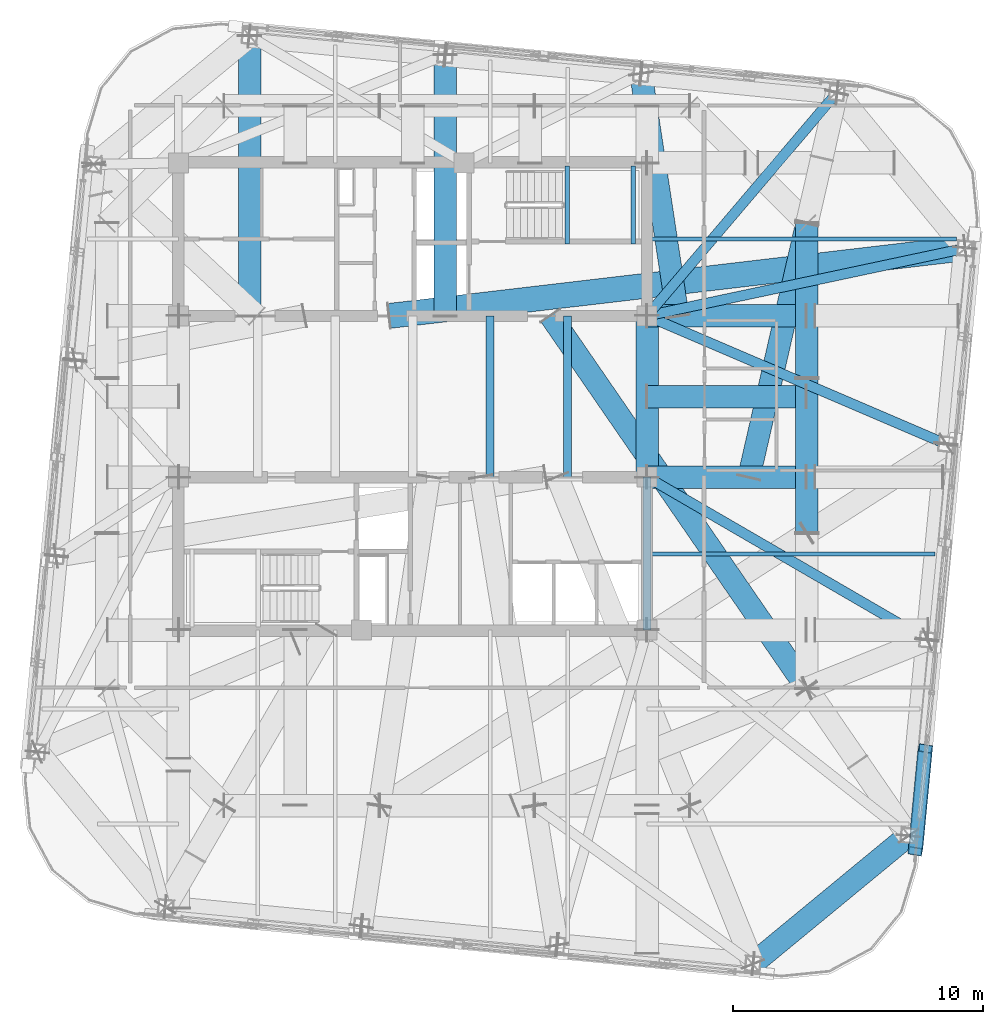
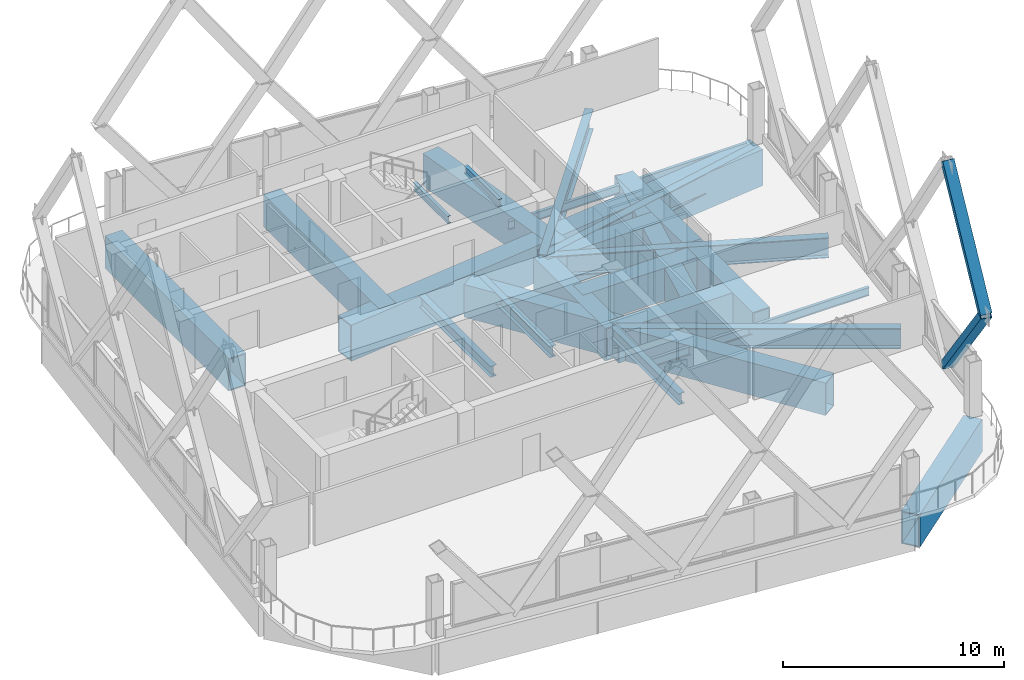
# One storey, part 15 of 31: 24 beams, 2 members.
"""IFC4 building model written with IfcOpenShell, lengths in metres."""

from ifc_helpers import new_model, si_unit, direction, frame, origin, origin_2d, place, context, subcontext, project, spatial, hollow_rectangle, i_section, extrude, material, material_profile, profile_set, type_object, element, save


model = new_model("IFC4")

# Units and contexts
model_context = context("Model", 3, precision=1e-05, world=origin(), true_north=direction((0.0, 1.0)))
body_context = subcontext(model_context, "Body", "Model", "MODEL_VIEW")
ifc_project = project(units=[si_unit("LENGTHUNIT", "METRE"), si_unit("AREAUNIT", "SQUARE_METRE"), si_unit("VOLUMEUNIT", "CUBIC_METRE"), si_unit("PLANEANGLEUNIT", "RADIAN"), si_unit("MASSUNIT", "GRAM", prefix="KILO")], contexts=[model_context])

# Site, building, storey
site_placement = place(None, origin())
site = spatial("IfcSite", under=ifc_project, at=site_placement, CompositionType="ELEMENT")
building_placement = place(site_placement, origin())
building = spatial("IfcBuilding", under=site, at=building_placement, Name="Qhalaya Broadcast Tower", CompositionType="ELEMENT")
storey_placement = place(building_placement, frame((0.0, 0.0, 242.85009765625)))
storey = spatial("IfcBuildingStorey", under=building, at=storey_placement, Name="L71", CompositionType="ELEMENT", Elevation=242.85009765625)

# Beams
ifc_material_1 = material(Name="Structural Steel ASTM A572 Grade 50", Category="steel")
ifc_material_profile_1 = material_profile(ifc_material_1, hollow_rectangle(XDim=0.89990234375, YDim=1.800048828125, WallThickness=0.06005859375, at=origin_2d()), Name="BOX 900x1800x60")
ifc_profile_set_1 = profile_set([ifc_material_profile_1], Name="Structural Steel ASTM A572 Grade 50")
beam_type_1 = type_object("IfcBeamType", Name="Block Cantilever Transfer Box Girder TG1", PredefinedType="USERDEFINED", material=ifc_profile_set_1)
beam_1_placement = place(storey_placement, frame((13.6083984375, -22.09033203125, -1.090087890625), z_axis=(0.771631160126, 0.636070241972, 0.0), x_axis=(-0.636070241972, 0.771631160126, 0.0)))
element("IfcBeam", 1, at=beam_1_placement, inside=storey, type_object=beam_type_1, Name="L71 TG1 L71-SPR-04", ObjectType="GIRDER", PredefinedType="USERDEFINED", context=body_context, shape_type="SweptSolid", body=[
    extrude(hollow_rectangle(XDim=0.89990234375, YDim=1.800048828125, WallThickness=0.06005859375, at=origin_2d()), origin(), (0.0, 0.0, 1.0), 8.06103515625),
])
beam_2_placement = place(storey_placement, frame((15.77001953125, -4.8701171875, -1.090087890625), z_axis=(0.0, 1.0, 0.0), x_axis=(-1.0, 0.0, 0.0)))
element("IfcBeam", 2, at=beam_2_placement, inside=storey, type_object=beam_type_1, Name="L71 TG1 L71-TGL-06", ObjectType="GIRDER", PredefinedType="USERDEFINED", context=body_context, shape_type="SweptSolid", body=[
    extrude(hollow_rectangle(XDim=0.89990234375, YDim=1.800048828125, WallThickness=0.06005859375, at=origin_2d()), origin(), (0.0, 0.0, 1.0), 6.2001953125),
])
beam_3_placement = place(storey_placement, frame((15.77001953125, 1.330078125, -1.090087890625), z_axis=(0.0, 1.0, 0.0), x_axis=(-1.0, 0.0, 0.0)))
element("IfcBeam", 3, at=beam_3_placement, inside=storey, type_object=beam_type_1, Name="L71 TG1 L71-TGL-07", ObjectType="GIRDER", PredefinedType="USERDEFINED", context=body_context, shape_type="SweptSolid", body=[
    extrude(hollow_rectangle(XDim=0.89990234375, YDim=1.800048828125, WallThickness=0.06005859375, at=origin_2d()), origin(), (0.0, 0.0, 1.0), 6.199951171875),
])
beam_4_placement = place(storey_placement, frame((9.375, 0.60009765625, -1.090087890625), z_axis=(1.0, 0.0, 0.0), x_axis=(0.0, 1.0, 0.0)))
element("IfcBeam", 4, at=beam_4_placement, inside=storey, type_object=beam_type_1, Name="L71 TG1 L71-TGIYE-1", ObjectType="GIRDER", PredefinedType="USERDEFINED", context=body_context, shape_type="SweptSolid", body=[
    extrude(hollow_rectangle(XDim=0.89990234375, YDim=1.800048828125, WallThickness=0.06005859375, at=origin_2d()), origin(), (0.0, 0.0, 1.0), 6.35498046875),
])
beam_5_placement = place(storey_placement, frame((9.375, -2.625, -1.090087890625), z_axis=(0.0, 1.0, 0.0), x_axis=(-1.0, 0.0, 0.0)))
element("IfcBeam", 5, at=beam_5_placement, inside=storey, type_object=beam_type_1, Name="L71 TG1 L71-TGIME-1", ObjectType="GIRDER", PredefinedType="USERDEFINED", context=body_context, shape_type="SweptSolid", body=[
    extrude(hollow_rectangle(XDim=0.89990234375, YDim=1.800048828125, WallThickness=0.06005859375, at=origin_2d()), origin(), (0.0, 0.0, 1.0), 6.449951171875),
])
for number, where, z_axis, x_axis, name in (
    (6, (9.375, -2.625, -1.090087890625), (1.0, 0.0, 0.0), (0.0, 1.0, 0.0), "L71 TG1 L71-TGIY2E-1"),
    (7, (9.375, 3.824951171875, -1.090087890625), (1.0, 0.0, 0.0), (0.0, 1.0, 0.0), "L71 TG1 L71-TGIY3E-1"),
):
    element("IfcBeam", number, at=place(storey_placement, frame(where, z_axis=z_axis, x_axis=x_axis)), inside=storey, type_object=beam_type_1, Name=name, ObjectType="GIRDER", PredefinedType="USERDEFINED", context=body_context, shape_type="SweptSolid", body=[
        extrude(hollow_rectangle(XDim=0.89990234375, YDim=1.800048828125, WallThickness=0.06005859375, at=origin_2d()), origin(), (0.0, 0.0, 1.0), 6.35498046875),
    ])
beam_6_placement = place(storey_placement, frame((5.51171875, 3.824951171875, -1.090087890625), z_axis=(0.56720351429, -0.823577666876, 0.0), x_axis=(0.823577666876, 0.56720351429, 0.0)))
element("IfcBeam", 8, at=beam_6_placement, inside=storey, type_object=beam_type_1, Name="L71 Collinear Back-Span Transfer Box Girder 05", ObjectType="GIRDER", PredefinedType="USERDEFINED", context=body_context, shape_type="SweptSolid", body=[
    extrude(hollow_rectangle(XDim=0.89990234375, YDim=1.800048828125, WallThickness=0.06005859375, at=origin_2d()), origin(), (0.0, 0.0, 1.0), 18.085693359375),
])
beam_7_placement = place(storey_placement, frame((13.448486328125, -2.625, -1.090087890625), z_axis=(0.222859801896, 0.974850505821, 0.0), x_axis=(-0.974850505821, 0.222859801896, 0.0)))
element("IfcBeam", 9, at=beam_7_placement, inside=storey, type_object=beam_type_1, Name="L71 Collinear Back-Span Transfer Box Girder 09", ObjectType="GIRDER", PredefinedType="USERDEFINED", context=body_context, shape_type="SweptSolid", body=[
    extrude(hollow_rectangle(XDim=0.89990234375, YDim=1.800048828125, WallThickness=0.06005859375, at=origin_2d()), origin(), (0.0, 0.0, 1.0), 10.4169921875),
])
beam_8_placement = place(storey_placement, frame((10.605712890625, 3.824951171875, -1.090087890625), z_axis=(-0.150490218704, 0.988611498049, 0.0), x_axis=(-0.988611498049, -0.150490218704, 0.0)))
element("IfcBeam", 10, at=beam_8_placement, inside=storey, type_object=beam_type_1, Name="L71 Continuous Cantilever Transfer Box Girder 10", ObjectType="GIRDER", PredefinedType="USERDEFINED", context=body_context, shape_type="SweptSolid", body=[
    extrude(hollow_rectangle(XDim=0.89990234375, YDim=1.800048828125, WallThickness=0.06005859375, at=origin_2d()), origin(), (0.0, 0.0, 1.0), 9.7890625),
])
beam_9_placement = place(storey_placement, frame((1.302001953125, 3.824951171875, -1.090087890625), z_axis=(0.0, 1.0, 0.0), x_axis=(-1.0, 0.0, 0.0)))
element("IfcBeam", 11, at=beam_9_placement, inside=storey, type_object=beam_type_1, Name="L71 Continuous Cantilever Transfer Box Girder 11", ObjectType="GIRDER", PredefinedType="USERDEFINED", context=body_context, shape_type="SweptSolid", body=[
    extrude(hollow_rectangle(XDim=0.89990234375, YDim=1.800048828125, WallThickness=0.06005859375, at=origin_2d()), origin(), (0.0, 0.0, 1.0), 10.431396484375),
])
beam_10_placement = place(storey_placement, frame((-6.5283203125, 3.824951171875, -1.090087890625), z_axis=(0.0, 1.0, 0.0), x_axis=(-1.0, 0.0, 0.0)))
element("IfcBeam", 12, at=beam_10_placement, inside=storey, type_object=beam_type_1, Name="L71 Continuous Cantilever Transfer Box Girder 12", ObjectType="GIRDER", PredefinedType="USERDEFINED", context=body_context, shape_type="SweptSolid", body=[
    extrude(hollow_rectangle(XDim=0.89990234375, YDim=1.800048828125, WallThickness=0.06005859375, at=origin_2d()), origin(), (0.0, 0.0, 1.0), 11.185546875),
])
ifc_material_2 = material(Name="Structural Steel ASTM A992 Grade 50", Category="steel")
ifc_material_profile_2 = material_profile(ifc_material_2, i_section(OverallWidth=0.154052734375, OverallDepth=0.458984375, WebThickness=0.009033203125, FlangeThickness=0.015380859375, at=origin_2d()), Name="W18X46")
ifc_profile_set_2 = profile_set([ifc_material_profile_2], Name="Structural Steel ASTM A992 Grade 50")
beam_type_2 = type_object("IfcBeamType", Name="Composite Floor Joist J04", PredefinedType="JOIST", material=ifc_profile_set_2)
beam_11_placement = place(storey_placement, frame((9.375, -5.699951171875, -0.419677734375), z_axis=(1.0, 0.0, 0.0), x_axis=(0.0, 1.0, 0.0)))
element("IfcBeam", 13, at=beam_11_placement, inside=storey, type_object=beam_type_2, Name="L71 J04 L71-JWE3E-1", PredefinedType="JOIST", context=body_context, shape_type="SweptSolid", body=[
    extrude(i_section(OverallWidth=0.154052734375, OverallDepth=0.458984375, WebThickness=0.009033203125, FlangeThickness=0.015380859375, at=origin_2d()), origin(), (0.0, 0.0, 1.0), 11.517822265625),
])
beam_12_placement = place(storey_placement, frame((9.375, 6.89990234375, -0.419677734375), z_axis=(1.0, 0.0, 0.0), x_axis=(0.0, 1.0, 0.0)))
element("IfcBeam", 14, at=beam_12_placement, inside=storey, type_object=beam_type_2, Name="L71 J04 L71-JWE5E-1", PredefinedType="JOIST", context=body_context, shape_type="SweptSolid", body=[
    extrude(i_section(OverallWidth=0.154052734375, OverallDepth=0.458984375, WebThickness=0.009033203125, FlangeThickness=0.015380859375, at=origin_2d()), origin(), (0.0, 0.0, 1.0), 12.38330078125),
])
ifc_material_profile_3 = material_profile(ifc_material_2, i_section(OverallWidth=0.323974609375, OverallDepth=0.612060546875, WebThickness=0.0126953125, FlangeThickness=0.01904296875, at=origin_2d()), Name="W24X104")
ifc_profile_set_3 = profile_set([ifc_material_profile_3], Name="Structural Steel ASTM A992 Grade 50")
beam_type_3 = type_object("IfcBeamType", Name="Core Frame Tie Beam B04", PredefinedType="BEAM", material=ifc_profile_set_3)
beam_13_placement = place(storey_placement, frame((9.375, -8.75, -0.49609375), z_axis=(0.0, 1.0, 0.0), x_axis=(-1.0, 0.0, 0.0)))
element("IfcBeam", 15, at=beam_13_placement, inside=storey, type_object=beam_type_3, Name="L71 B04 L71-CCS2", PredefinedType="BEAM", context=body_context, shape_type="SweptSolid", body=[
    extrude(i_section(OverallWidth=0.323974609375, OverallDepth=0.612060546875, WebThickness=0.0126953125, FlangeThickness=0.01904296875, at=origin_2d()), origin(), (0.0, 0.0, 1.0), 6.125),
])
for number, where, z_axis, x_axis, name in (
    (16, (3.10009765625, -2.625, -0.49609375), (0.0, 1.0, 0.0), (-1.0, 0.0, 0.0), "L71 B04 L71-JC4-1"),
    (17, (6.199951171875, -2.625, -0.49609375), (0.0, 1.0, 0.0), (-1.0, 0.0, 0.0), "L71 B04 L71-JC5-1"),
):
    element("IfcBeam", number, at=place(storey_placement, frame(where, z_axis=z_axis, x_axis=x_axis)), inside=storey, type_object=beam_type_3, Name=name, PredefinedType="BEAM", context=body_context, shape_type="SweptSolid", body=[
        extrude(i_section(OverallWidth=0.323974609375, OverallDepth=0.612060546875, WebThickness=0.0126953125, FlangeThickness=0.01904296875, at=origin_2d()), origin(), (0.0, 0.0, 1.0), 6.449951171875),
    ])

# Members
ifc_material_profile_4 = material_profile(ifc_material_1, hollow_rectangle(XDim=0.3798828125, YDim=0.550048828125, WallThickness=0.02490234375, at=origin_2d()), Name="BOX 380x550x25")
ifc_profile_set_4 = profile_set([ifc_material_profile_4], Name="Structural Steel ASTM A572 Grade 50")
member_type = type_object("IfcMemberType", Name="Exoskeleton Diamond Diagonal Upper EX4", PredefinedType="BRACE", material=ifc_profile_set_4)
member_1_placement = place(storey_placement, frame((20.505615234375, -13.478515625, 0.35986328125), z_axis=(-0.058301925892, -0.605362942159, 0.793811434597), x_axis=(0.171153078973, 0.777329359739, 0.60536409709)))
element("IfcMember", 18, at=member_1_placement, inside=storey, type_object=member_type, Name="B6 Exoskeleton Diamond Brace E1-D1", PredefinedType="BRACE", context=body_context, shape_type="SweptSolid", body=[
    extrude(hollow_rectangle(XDim=0.3798828125, YDim=0.550048828125, WallThickness=0.02490234375, at=origin_2d()), origin(), (0.0, 0.0, 1.0), 6.79638671875),
])
member_2_placement = place(storey_placement, frame((20.109375, -17.5927734375, 5.7548828125), z_axis=(0.055161336321, 0.572753444041, 0.817869622443), x_axis=(-0.17344881055, -0.801166493771, 0.572754536758)))
element("IfcMember", 19, at=member_2_placement, inside=storey, type_object=member_type, Name="B6 Exoskeleton Diamond Brace E1-D3", PredefinedType="BRACE", context=body_context, shape_type="SweptSolid", body=[
    extrude(hollow_rectangle(XDim=0.3798828125, YDim=0.550048828125, WallThickness=0.02490234375, at=origin_2d()), origin(), (0.0, 0.0, 1.0), 7.183349609375),
])

# Beams
ifc_material_profile_5 = material_profile(ifc_material_2, i_section(OverallWidth=0.404052734375, OverallDepth=1.117919921875, WebThickness=0.026123046875, FlangeThickness=0.044921875, at=origin_2d()), Name="W44X335")
ifc_profile_set_5 = profile_set([ifc_material_profile_5], Name="Structural Steel ASTM A992 Grade 50")
beam_type_4 = type_object("IfcBeamType", Name="Podium Long-Span Primary Girder PG1", PredefinedType="USERDEFINED", material=ifc_profile_set_5)
beam_14_placement = place(storey_placement, frame((9.375, -2.625, -0.7490234375), z_axis=(0.864789738256, -0.502134153993, 0.0), x_axis=(0.502134153993, 0.864789738256, 0.0)))
element("IfcBeam", 20, at=beam_14_placement, inside=storey, type_object=beam_type_4, Name="L71 Column-to-Column Moment Tie Girder 06-2", ObjectType="GIRDER", PredefinedType="USERDEFINED", context=body_context, shape_type="SweptSolid", body=[
    extrude(i_section(OverallWidth=0.404052734375, OverallDepth=1.117919921875, WebThickness=0.026123046875, FlangeThickness=0.044921875, at=origin_2d()), origin(), (0.0, 0.0, 1.0), 12.959716796875),
])
beam_15_placement = place(storey_placement, frame((9.375, 3.824951171875, -0.7490234375), z_axis=(0.919127562905, -0.39396005268, 0.0), x_axis=(0.39396005268, 0.919127562905, 0.0)))
element("IfcBeam", 21, at=beam_15_placement, inside=storey, type_object=beam_type_4, Name="L71 Column-to-Column Moment Tie Girder 07-2", ObjectType="GIRDER", PredefinedType="USERDEFINED", context=body_context, shape_type="SweptSolid", body=[
    extrude(i_section(OverallWidth=0.404052734375, OverallDepth=1.117919921875, WebThickness=0.026123046875, FlangeThickness=0.044921875, at=origin_2d()), origin(), (0.0, 0.0, 1.0), 13.013916015625),
])
beam_16_placement = place(storey_placement, frame((9.375, 3.824951171875, -0.7490234375), z_axis=(0.978137557788, 0.207958933554, 0.0), x_axis=(-0.207958933554, 0.978137557788, 0.0)))
element("IfcBeam", 22, at=beam_16_placement, inside=storey, type_object=beam_type_4, Name="L71 Column-to-Column Moment Tie Girder 08-1", ObjectType="GIRDER", PredefinedType="USERDEFINED", context=body_context, shape_type="SweptSolid", body=[
    extrude(i_section(OverallWidth=0.404052734375, OverallDepth=1.117919921875, WebThickness=0.026123046875, FlangeThickness=0.044921875, at=origin_2d()), origin(), (0.0, 0.0, 1.0), 12.99951171875),
])
beam_17_placement = place(storey_placement, frame((9.375, 3.824951171875, -0.7490234375), z_axis=(0.647789376676, 0.761819482204, 0.0), x_axis=(-0.761819482204, 0.647789376676, 0.0)))
element("IfcBeam", 23, at=beam_17_placement, inside=storey, type_object=beam_type_4, Name="L71 Column-to-Column Moment Tie Girder 09-1", ObjectType="GIRDER", PredefinedType="USERDEFINED", context=body_context, shape_type="SweptSolid", body=[
    extrude(i_section(OverallWidth=0.404052734375, OverallDepth=1.117919921875, WebThickness=0.026123046875, FlangeThickness=0.044921875, at=origin_2d()), origin(), (0.0, 0.0, 1.0), 11.713623046875),
])
ifc_material_profile_6 = material_profile(ifc_material_1, hollow_rectangle(XDim=1.0, YDim=2.0, WallThickness=0.06494140625, at=origin_2d()), Name="BOX 1000x2000x65")
ifc_profile_set_6 = profile_set([ifc_material_profile_6], Name="Structural Steel ASTM A572 Grade 50")
beam_type_5 = type_object("IfcBeamType", Name="Podium Soundstage Transfer Box Girder TG0", PredefinedType="USERDEFINED", material=ifc_profile_set_6)
beam_18_placement = place(storey_placement, frame((-0.93115234375, 3.824951171875, -1.190185546875), z_axis=(0.993175816104, 0.116626747812, 0.0), x_axis=(-0.116626747812, 0.993175816104, 0.0)))
element("IfcBeam", 24, at=beam_18_placement, inside=storey, type_object=beam_type_5, Name="L71 Continuous Cantilever Transfer Box Girder 08", ObjectType="GIRDER", PredefinedType="USERDEFINED", context=body_context, shape_type="SweptSolid", body=[
    extrude(hollow_rectangle(XDim=1.0, YDim=2.0, WallThickness=0.06494140625, at=origin_2d()), origin(), (0.0, 0.0, 1.0), 23.1796875),
])
ifc_material_profile_7 = material_profile(ifc_material_2, i_section(OverallWidth=0.177978515625, OverallDepth=0.406005859375, WebThickness=0.0078125, FlangeThickness=0.0126953125, at=origin_2d()), Name="W16X40")
ifc_profile_set_7 = profile_set([ifc_material_profile_7], Name="Structural Steel ASTM A992 Grade 50")
beam_type_6 = type_object("IfcBeamType", Name="Upper Perimeter Spandrel Beam SP2", PredefinedType="SPANDREL", material=ifc_profile_set_7)
for number, where, z_axis, x_axis, name in (
    (25, (6.175048828125, 6.699951171875, 1.121826171875), (0.0, 1.0, 0.0), (-1.0, 0.0, 0.0), "L71 ST-1 Half-Landing Bearer Beam 1"),
    (26, (8.830078125, 6.699951171875, 1.121826171875), (0.0, 1.0, 0.0), (-1.0, 0.0, 0.0), "L71 ST-1 Half-Landing Bearer Beam 2"),
):
    element("IfcBeam", number, at=place(storey_placement, frame(where, z_axis=z_axis, x_axis=x_axis)), inside=storey, type_object=beam_type_6, Name=name, PredefinedType="SPANDREL", context=body_context, shape_type="SweptSolid", body=[
        extrude(i_section(OverallWidth=0.177978515625, OverallDepth=0.406005859375, WebThickness=0.0078125, FlangeThickness=0.0126953125, at=origin_2d()), origin(), (0.0, 0.0, 1.0), 3.1201171875),
    ])

save(model, "model.ifc")
